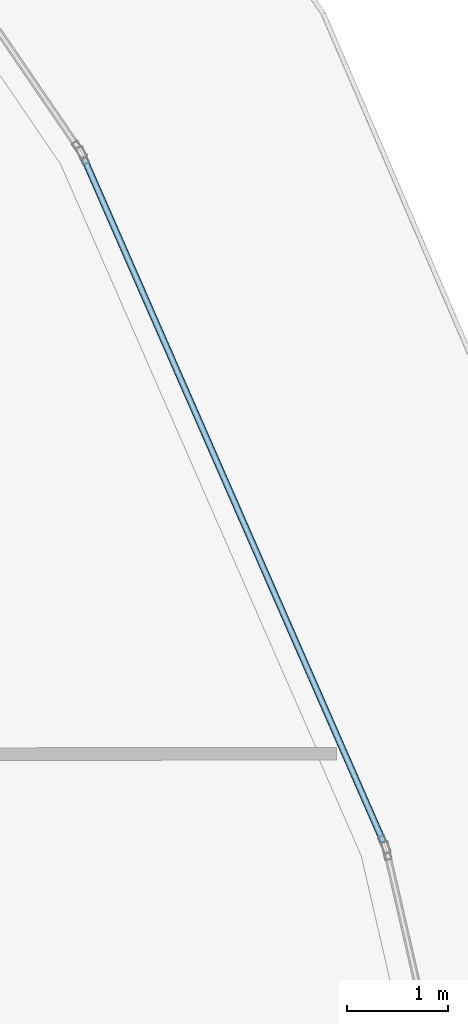
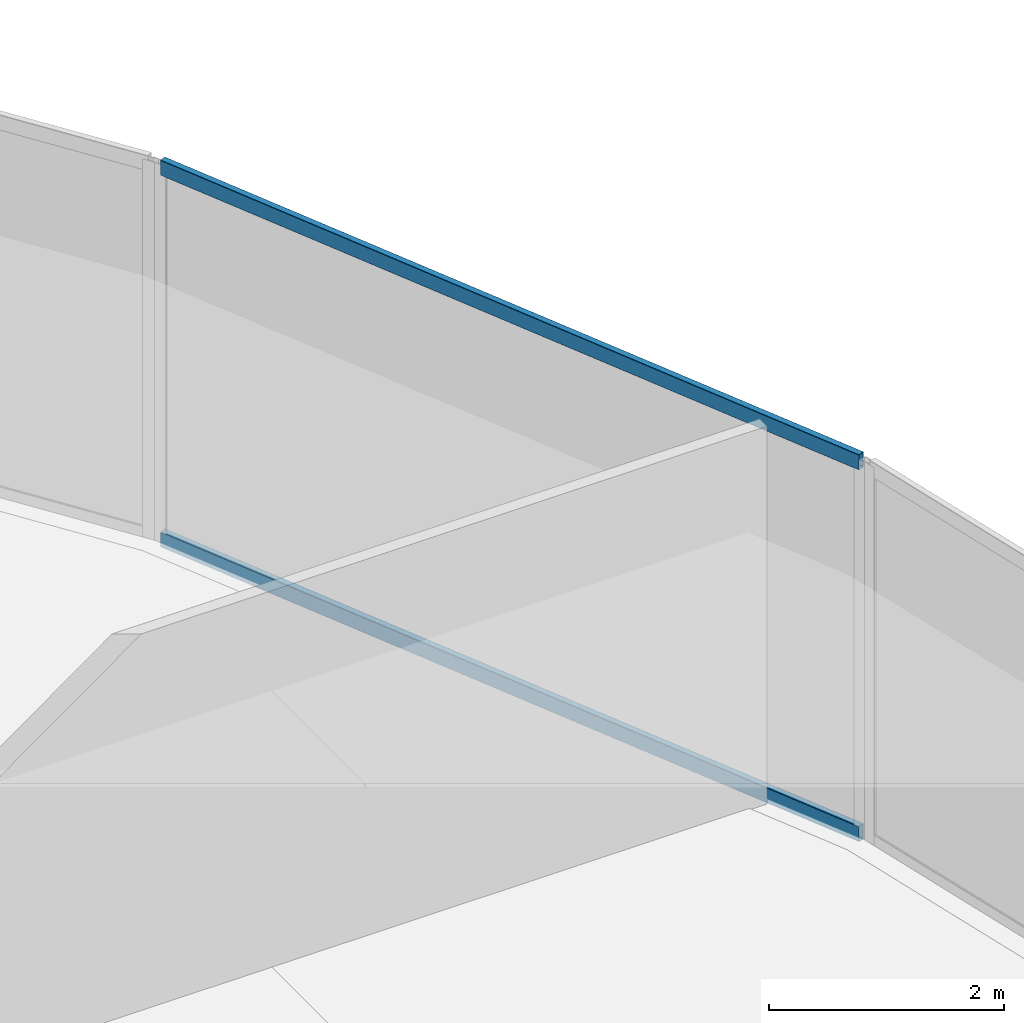
# One storey, part 26 of 44: 2 members, 1 element without a shape of its own.
"""IFC4 building model written with IfcOpenShell, lengths in metres."""

from ifc_helpers import new_model, si_unit, direction, frame, origin, origin_2d, place, context, subcontext, project, spatial, hollow_rectangle, extrude, material, layer, layer_set, material_profile, profile_set, type_object, element, aggregate, save


model = new_model("IFC4")

# Units and contexts
model_context = context("Model", 3, precision=1e-05, world=origin(), true_north=direction((0.0, 1.0)))
body_context = subcontext(model_context, "Body", "Model", "MODEL_VIEW")
ifc_project = project(units=[si_unit("LENGTHUNIT", "METRE"), si_unit("AREAUNIT", "SQUARE_METRE"), si_unit("VOLUMEUNIT", "CUBIC_METRE"), si_unit("PLANEANGLEUNIT", "RADIAN"), si_unit("MASSUNIT", "GRAM", prefix="KILO")], contexts=[model_context])

# Site, building, storey
site_placement = place(None, origin())
site = spatial("IfcSite", under=ifc_project, at=site_placement, CompositionType="ELEMENT")
building_placement = place(site_placement, origin())
building = spatial("IfcBuilding", under=site, at=building_placement, Name="Qorvath Tower", CompositionType="ELEMENT")
storey_placement = place(building_placement, frame((0.0, 0.0, 53.39990234375)))
storey = spatial("IfcBuildingStorey", under=building, at=storey_placement, Name="L11", CompositionType="ELEMENT", Elevation=53.39990234375)

# Curtain wall, members
ifc_material_1 = material(Name="Anodised aluminium and triple low-E glass", Category="aluminium")
ifc_layer = layer(ifc_material_1, 0.179931640625)
ifc_layer_set = layer_set([ifc_layer], Name="CW-SYS-2")
curtain_wall_type = type_object("IfcCurtainWallType", Name="CW-SYS-2", PredefinedType="NOTDEFINED", material=ifc_layer_set)
curtain_wall_placement = place(storey_placement, origin())
curtain_wall = element("IfcCurtainWall", 1, at=curtain_wall_placement, inside=storey, type_object=curtain_wall_type, Name="Curtain Wall CW-2 CW-T-L11-12.1", PredefinedType="NOTDEFINED")
ifc_material_2 = material(Name="Anodised aluminium 6063-T6", Category="aluminium")
ifc_material_profile = material_profile(ifc_material_2, hollow_rectangle(XDim=0.06494140625, YDim=0.159912109375, WallThickness=0.00341796875, InnerFilletRadius=0.00341796875, OuterFilletRadius=0.007080078125, at=origin_2d()), Name="CWT 160x65")
ifc_profile_set = profile_set([ifc_material_profile], Name="Anodised aluminium 6063-T6")
member_type = type_object("IfcMemberType", Name="CWT-160", PredefinedType="USERDEFINED", material=ifc_profile_set)
member_1_placement = place(storey_placement, frame((5.604736328125, 12.7216796875, 0.032470703125), z_axis=(-0.401166509416, 0.916005148306, 0.0), x_axis=(-0.916005148306, -0.401166509416, 0.0)))
member_1 = element("IfcMember", 2, at=member_1_placement, type_object=member_type, Name="CW-2 transom 1.1", ObjectType="TRANSOM", PredefinedType="USERDEFINED", context=body_context, shape_type="SweptSolid", body=[
    extrude(hollow_rectangle(XDim=0.06494140625, YDim=0.159912109375, WallThickness=0.00341796875, InnerFilletRadius=0.00341796875, OuterFilletRadius=0.007080078125, at=origin_2d()), origin(), (0.0, 0.0, 1.0), 7.366943359375),
])
member_2_placement = place(storey_placement, frame((5.604736328125, 12.7216796875, 3.8876953125), z_axis=(-0.401166509416, 0.916005148306, 0.0), x_axis=(-0.916005148306, -0.401166509416, 0.0)))
member_2 = element("IfcMember", 3, at=member_2_placement, type_object=member_type, Name="CW-2 transom 1.2", ObjectType="TRANSOM", PredefinedType="USERDEFINED", context=body_context, shape_type="SweptSolid", body=[
    extrude(hollow_rectangle(XDim=0.06494140625, YDim=0.159912109375, WallThickness=0.00341796875, InnerFilletRadius=0.00341796875, OuterFilletRadius=0.007080078125, at=origin_2d()), origin(), (0.0, 0.0, 1.0), 7.366943359375),
])
aggregate(curtain_wall, [member_1, member_2])

save(model, "model.ifc")
